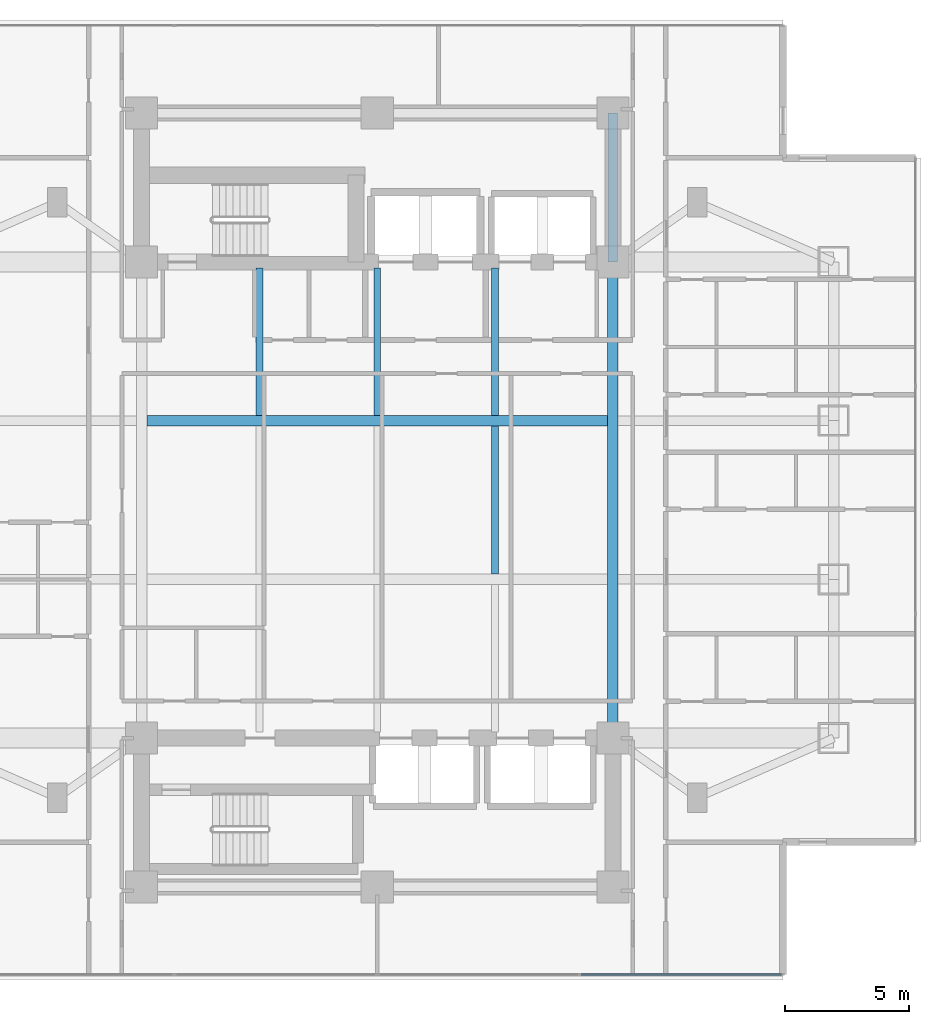
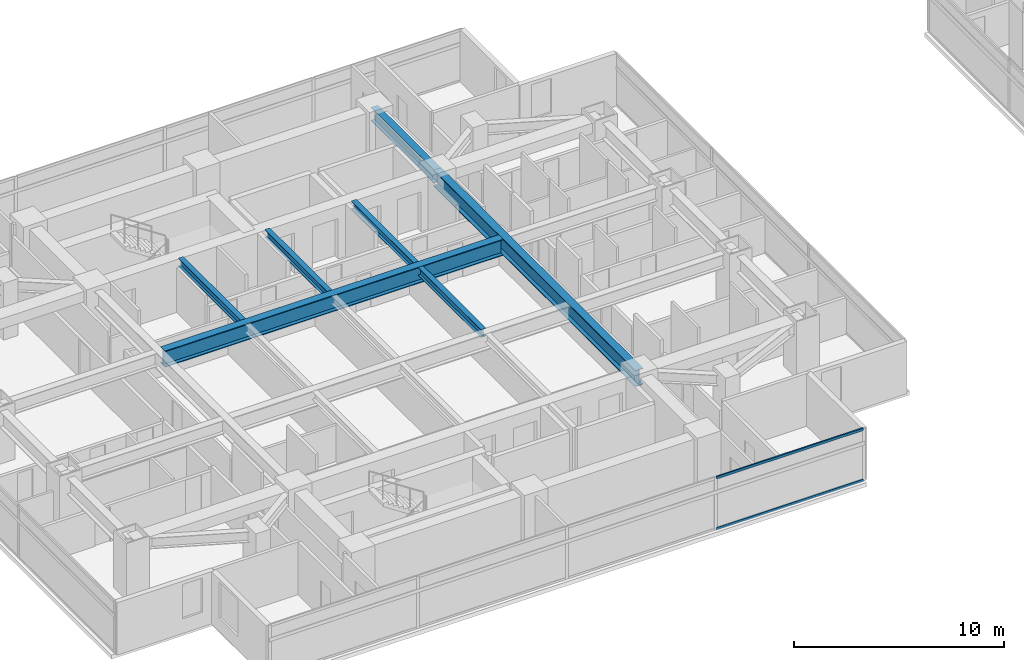
# One storey, part 4 of 24: 7 beams, 2 members, 1 element without a shape of its own.
"""IFC4 building model written with IfcOpenShell, lengths in metres."""

from ifc_helpers import new_model, si_unit, direction, frame, origin, origin_2d, place, context, subcontext, project, spatial, rectangle, i_section, extrude, material, material_profile, profile_set, type_object, element, aggregate, save


model = new_model("IFC4")

# Units and contexts
model_context = context("Model", 3, precision=1e-05, world=origin(), true_north=direction((0.0, 1.0)))
body_context = subcontext(model_context, "Body", "Model", "MODEL_VIEW")
ifc_project = project(units=[si_unit("LENGTHUNIT", "METRE"), si_unit("AREAUNIT", "SQUARE_METRE"), si_unit("VOLUMEUNIT", "CUBIC_METRE"), si_unit("PLANEANGLEUNIT", "RADIAN"), si_unit("MASSUNIT", "GRAM", prefix="KILO")], contexts=[model_context])

# Site, building, storey
site_placement = place(None, origin())
site = spatial("IfcSite", under=ifc_project, at=site_placement, CompositionType="ELEMENT")
building_placement = place(site_placement, origin())
building = spatial("IfcBuilding", under=site, at=building_placement, Name="Mirazonda Arch Towers", CompositionType="ELEMENT")
storey_placement = place(building_placement, frame((0.0, 0.0, 65.300048828125)))
storey = spatial("IfcBuildingStorey", under=building, at=storey_placement, Name="L18", CompositionType="ELEMENT", Elevation=65.300048828125)

# Beams
ifc_material_1 = material(Name="Steel ASTM A992 Grade 50", Category="steel")
ifc_material_profile_1 = material_profile(ifc_material_1, i_section(OverallWidth=0.280029296875, OverallDepth=0.462890625, WebThickness=0.0107421875, FlangeThickness=0.017333984375, at=origin_2d()), Name="W18X76")
ifc_profile_set_1 = profile_set([ifc_material_profile_1], Name="Steel ASTM A992 Grade 50")
beam_type_1 = type_object("IfcBeamType", Name="BM-INT-W18X76", PredefinedType="JOIST", material=ifc_profile_set_1)
for number, where, z_axis, x_axis, name in (
    (1, (15.75, 31.407470703125, 2.828369140625), (0.0, 1.0, 0.0), (-1.0, 0.0, 0.0), "L18 Floor Beam BM-T1-L18-J-157-31"),
    (2, (20.5, 31.407470703125, 2.828369140625), (0.0, 1.0, 0.0), (-1.0, 0.0, 0.0), "L18 Floor Beam BM-T1-L18-J-205-31"),
    (3, (25.25, 31.407470703125, 2.828369140625), (0.0, 1.0, 0.0), (-1.0, 0.0, 0.0), "L18 Floor Beam BM-T1-L18-J-252-31"),
):
    element("IfcBeam", number, at=place(storey_placement, frame(where, z_axis=z_axis, x_axis=x_axis)), inside=storey, type_object=beam_type_1, Name=name, PredefinedType="JOIST", context=body_context, shape_type="SweptSolid", body=[
        extrude(i_section(OverallWidth=0.280029296875, OverallDepth=0.462890625, WebThickness=0.0107421875, FlangeThickness=0.017333984375, at=origin_2d()), origin(), (0.0, 0.0, 1.0), 5.95263671875),
    ])
beam_1_placement = place(storey_placement, frame((25.25, 25.007568359375, 2.828369140625), z_axis=(0.0, 1.0, 0.0), x_axis=(-1.0, 0.0, 0.0)))
element("IfcBeam", 4, at=beam_1_placement, inside=storey, type_object=beam_type_1, Name="L18 Floor Beam BM-T1-L18-J-252-24", PredefinedType="JOIST", context=body_context, shape_type="SweptSolid", body=[
    extrude(i_section(OverallWidth=0.280029296875, OverallDepth=0.462890625, WebThickness=0.0107421875, FlangeThickness=0.017333984375, at=origin_2d()), origin(), (0.0, 0.0, 1.0), 5.98486328125),
])
ifc_material_profile_2 = material_profile(ifc_material_1, i_section(OverallWidth=0.381103515625, OverallDepth=0.77294921875, WebThickness=0.0166015625, FlangeThickness=0.027099609375, at=origin_2d()), Name="W30X173")
ifc_profile_set_2 = profile_set([ifc_material_profile_2], Name="Steel ASTM A992 Grade 50")
beam_type_2 = type_object("IfcBeamType", Name="BM-INT-W30X173", PredefinedType="USERDEFINED", material=ifc_profile_set_2)
beam_2_placement = place(storey_placement, frame((30.0, 37.60009765625, 2.67333984375), z_axis=(0.0, 1.0, 0.0), x_axis=(-1.0, 0.0, 0.0)))
element("IfcBeam", 5, at=beam_2_placement, inside=storey, type_object=beam_type_2, Name="L18 Floor Beam BM-T1-L18-CNE", ObjectType="GIRDER", PredefinedType="USERDEFINED", context=body_context, shape_type="SweptSolid", body=[
    extrude(i_section(OverallWidth=0.381103515625, OverallDepth=0.77294921875, WebThickness=0.0166015625, FlangeThickness=0.027099609375, at=origin_2d()), origin(), (0.0, 0.0, 1.0), 6.0),
])
ifc_material_profile_3 = material_profile(ifc_material_1, i_section(OverallWidth=0.423095703125, OverallDepth=0.947998046875, WebThickness=0.02392578125, FlangeThickness=0.042724609375, at=origin_2d()), Name="W36X302")
ifc_profile_set_3 = profile_set([ifc_material_profile_3], Name="Steel ASTM A992 Grade 50")
beam_type_3 = type_object("IfcBeamType", Name="BM-INT-W36X302", PredefinedType="USERDEFINED", material=ifc_profile_set_3)
beam_3_placement = place(storey_placement, frame((11.21142578125, 31.199951171875, 2.5859375), z_axis=(1.0, 0.0, 0.0), x_axis=(0.0, 1.0, 0.0)))
element("IfcBeam", 6, at=beam_3_placement, inside=storey, type_object=beam_type_3, Name="L18 Floor Beam BM-T1-L18-GC3", ObjectType="GIRDER", PredefinedType="USERDEFINED", context=body_context, shape_type="SweptSolid", body=[
    extrude(i_section(OverallWidth=0.423095703125, OverallDepth=0.947998046875, WebThickness=0.02392578125, FlangeThickness=0.042724609375, at=origin_2d()), origin(), (0.0, 0.0, 1.0), 18.5771484375),
])
beam_4_placement = place(storey_placement, frame((30.0, 18.39990234375, 2.5859375), z_axis=(0.0, 1.0, 0.0), x_axis=(-1.0, 0.0, 0.0)))
element("IfcBeam", 7, at=beam_4_placement, inside=storey, type_object=beam_type_3, Name="L18 Floor Beam BM-T1-L18-NS-CE-FULL", ObjectType="GIRDER", PredefinedType="USERDEFINED", context=body_context, shape_type="SweptSolid", body=[
    extrude(i_section(OverallWidth=0.423095703125, OverallDepth=0.947998046875, WebThickness=0.02392578125, FlangeThickness=0.042724609375, at=origin_2d()), origin(), (0.0, 0.0, 1.0), 19.2001953125),
])

# Curtain wall, members
ifc_material_2 = material(Name="Anodised Aluminium and Low-E Glass", Category="aluminium")
curtain_wall_type = type_object("IfcCurtainWallType", Name="CW-HTL-UNIT", PredefinedType="NOTDEFINED", material=ifc_material_2)
curtain_wall_placement = place(storey_placement, origin())
curtain_wall = element("IfcCurtainWall", 8, at=curtain_wall_placement, inside=storey, type_object=curtain_wall_type, Name="L18 T1 S Facade CW-L18-T1-S", PredefinedType="NOTDEFINED")
ifc_material_3 = material(Name="Anodised Aluminium Alloy", Category="aluminium")
ifc_material_profile_4 = material_profile(ifc_material_3, rectangle(XDim=0.074951171875, YDim=0.14501953125, at=origin_2d()), Name="ALU-TRAN-75x145")
ifc_profile_set_4 = profile_set([ifc_material_profile_4], Name="Anodised Aluminium Alloy")
member_type = type_object("IfcMemberType", Name="TRAN-CW-HTL-UNIT", PredefinedType="USERDEFINED", material=ifc_profile_set_4)
member_1_placement = place(storey_placement, frame((36.784912109375, 8.867919921875, 0.037353515625), z_axis=(-1.0, 0.0, 0.0), x_axis=(0.0, -1.0, 0.0)))
member_1 = element("IfcMember", 9, at=member_1_placement, type_object=member_type, Name="CW-112 transom 1.1", ObjectType="TRANSOM", PredefinedType="USERDEFINED", context=body_context, shape_type="SweptSolid", body=[
    extrude(rectangle(XDim=0.074951171875, YDim=0.14501953125, at=origin_2d()), origin(), (0.0, 0.0, 1.0), 8.0673828125),
])
member_2_placement = place(storey_placement, frame((36.784912109375, 8.867919921875, 3.00244140625), z_axis=(-1.0, 0.0, 0.0), x_axis=(0.0, -1.0, 0.0)))
member_2 = element("IfcMember", 10, at=member_2_placement, type_object=member_type, Name="CW-112 transom 1.2", ObjectType="TRANSOM", PredefinedType="USERDEFINED", context=body_context, shape_type="SweptSolid", body=[
    extrude(rectangle(XDim=0.074951171875, YDim=0.14501953125, at=origin_2d()), origin(), (0.0, 0.0, 1.0), 8.0673828125),
])
aggregate(curtain_wall, [member_1, member_2])

save(model, "model.ifc")
